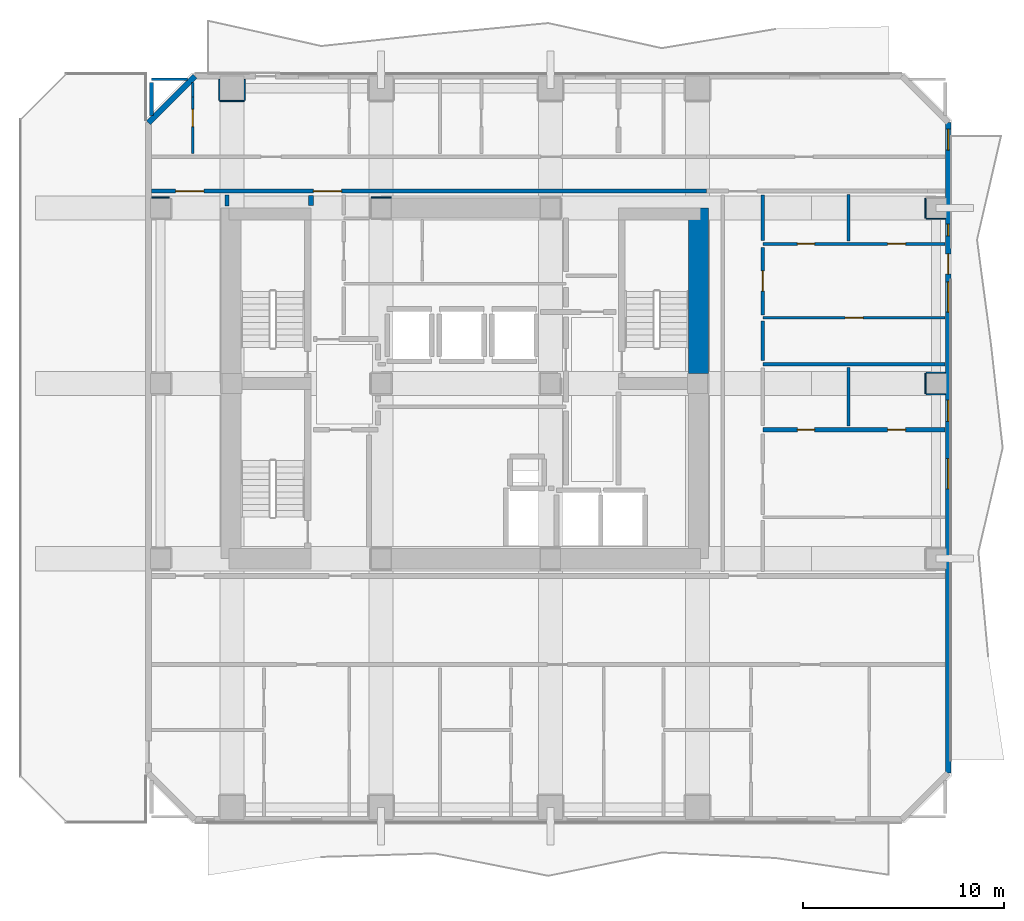
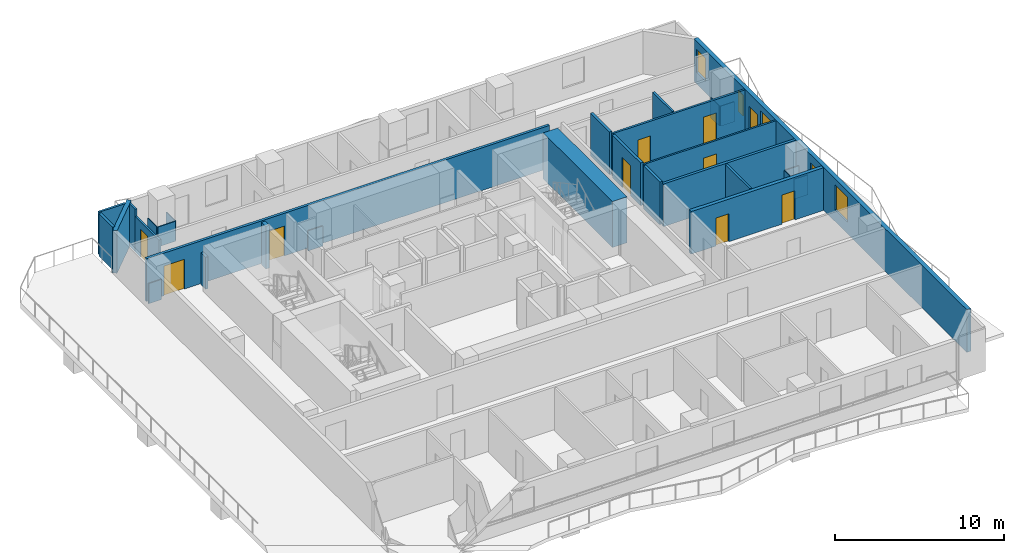
# One storey, part 5 of 10: 29 walls, 10 doors, 5 windows, 15 openings.
"""IFC4 building model written with IfcOpenShell, lengths in metres."""

import ifcopenshell
import ifcopenshell.guid

model = None  # the IFC model being written
_history = None  # IfcOwnerHistory: only IFC2X3 demands one
_inside = {}  # id of a spatial element -> (the spatial element, [elements in it])
_under = {}  # id of a project, library or spatial element -> (it, [spatial elements below it])
_declared = {}  # id of a project -> (the project, [libraries it declares])
_typed = {}  # id of a type object -> (the type object, [elements of that type])
_made_of = {}  # id of a material, layer set ... -> (it, [elements and type objects made of it])


def new_model(schema):
    """Start an empty IFC model of exactly this schema.

    Asked for "IFC4X3", IfcOpenShell would pick the latest addendum, in which some entities
    have other attributes; the version numbers below select the first issue.
    IFC2X3 requires an IfcOwnerHistory on every rooted entity: one is made here for all.
    """
    global model, _history
    if schema == "IFC4X3":
        model = ifcopenshell.file(schema_version=(4, 3, 0, 0))
    else:
        model = ifcopenshell.file(schema=schema)
    _inside.clear()
    _under.clear()
    _declared.clear()
    _typed.clear()
    _made_of.clear()
    _history = None
    if model.schema == "IFC2X3":
        org = make("IfcOrganization", Name="unknown")
        user = make(
            "IfcPersonAndOrganization",
            ThePerson=make("IfcPerson", FamilyName="unknown"),
            TheOrganization=org,
        )
        app = make(
            "IfcApplication",
            ApplicationDeveloper=org,
            Version="unknown",
            ApplicationFullName="unknown",
            ApplicationIdentifier="unknown",
        )
        _history = make(
            "IfcOwnerHistory",
            OwningUser=user,
            OwningApplication=app,
            ChangeAction="ADDED",
            CreationDate=0,
        )
    return model


def make(cls, **values):
    """One entity of the class cls with the attributes given. An attribute that is None is left unset."""
    return model.create_entity(
        cls, **{name: value for name, value in values.items() if value is not None}
    )


def rooted(cls, **values):
    """An entity with a GlobalId (a new one), such as an element, a storey or a relation."""
    return make(cls, GlobalId=ifcopenshell.guid.new(), OwnerHistory=_history, **values)


def si_unit(unit_type, name, prefix=None):
    """IfcSIUnit, for example si_unit("LENGTHUNIT", "METRE", prefix="MILLI")."""
    return make("IfcSIUnit", UnitType=unit_type, Prefix=prefix, Name=name)


def assignment(units):
    """IfcUnitAssignment: the units of a project."""
    return None if units is None else make("IfcUnitAssignment", Units=units)


def point(xyz):
    """IfcCartesianPoint."""
    return None if xyz is None else make("IfcCartesianPoint", Coordinates=xyz)


def direction(xyz):
    """IfcDirection."""
    return None if xyz is None else make("IfcDirection", DirectionRatios=xyz)


def frame(location, z_axis=None, x_axis=None):
    """IfcAxis2Placement3D, a coordinate frame: its origin and axes. An axis left out is left unset."""
    return make(
        "IfcAxis2Placement3D",
        Location=point(location),
        Axis=direction(z_axis),
        RefDirection=direction(x_axis),
    )


def frame_2d(location, x_axis=None):
    """IfcAxis2Placement2D, a coordinate frame in the plane: its origin and x axis."""
    return make(
        "IfcAxis2Placement2D", Location=point(location), RefDirection=direction(x_axis)
    )


def origin():
    """The frame at (0, 0, 0) with its axes left unset."""
    return frame((0.0, 0.0, 0.0))


def place(relative_to, where):
    """IfcLocalPlacement: puts the frame where relative to a parent placement (None: the world)."""
    return make(
        "IfcLocalPlacement", PlacementRelTo=relative_to, RelativePlacement=where
    )


def context(
    kind, dimensions, precision=None, world=None, true_north=None, identifier=None
):
    """IfcGeometricRepresentationContext, for example the 3D "Model" context."""
    return make(
        "IfcGeometricRepresentationContext",
        ContextIdentifier=identifier,
        ContextType=kind,
        CoordinateSpaceDimension=dimensions,
        Precision=precision,
        WorldCoordinateSystem=world,
        TrueNorth=true_north,
    )


def subcontext(parent, identifier, kind, view, scale=None):
    """IfcGeometricRepresentationSubContext, for example "Body" below "Model"."""
    return make(
        "IfcGeometricRepresentationSubContext",
        ContextIdentifier=identifier,
        ContextType=kind,
        ParentContext=parent,
        TargetScale=scale,
        TargetView=view,
    )


def project(units=None, contexts=None):
    """IfcProject with its units and contexts."""
    return rooted(
        "IfcProject",
        Name="project",
        RepresentationContexts=contexts,
        UnitsInContext=assignment(units),
    )


def spatial(cls, under=None, at=None, **own):
    """A site, building, storey or space (cls), placed at a placement, below another one or the project."""
    s = rooted(cls, ObjectPlacement=at, **own)
    if under is not None:
        _under.setdefault(under.id(), (under, []))[1].append(s)
    return s


def profile(cls, at=None, kind="AREA", **sizes):
    """A parametric profile (cls). Its sizes go by their IFC names, for example OverallWidth=200.0."""
    return make(cls, ProfileType=kind, Position=at, **sizes)


def rectangle(**sizes):
    """IfcRectangleProfileDef."""
    return profile("IfcRectangleProfileDef", **sizes)


def extrude(swept, where, along, depth):
    """IfcExtrudedAreaSolid: the profile swept, set in the frame where, extruded along a direction by depth."""
    return make(
        "IfcExtrudedAreaSolid",
        SweptArea=swept,
        Position=where,
        ExtrudedDirection=direction(along),
        Depth=depth,
    )


def shape(context_of_items, identifier, shape_type, items):
    """IfcShapeRepresentation: the items that make up one representation, for example the "Body"."""
    return make(
        "IfcShapeRepresentation",
        ContextOfItems=context_of_items,
        RepresentationIdentifier=identifier,
        RepresentationType=shape_type,
        Items=items,
    )


def material(Name=None, Category=None):
    """IfcMaterial."""
    return make("IfcMaterial", Name=Name, Category=Category)


def layer(
    of_material, thickness, ventilated=None, Name=None, Category=None, Priority=None
):
    """IfcMaterialLayer: one layer of a wall or slab, of a material (None: an air gap)."""
    return make(
        "IfcMaterialLayer",
        Material=of_material,
        LayerThickness=thickness,
        IsVentilated=ventilated,
        Name=Name,
        Category=Category,
        Priority=Priority,
    )


def layer_set(layers, Name=None):
    """IfcMaterialLayerSet."""
    return make("IfcMaterialLayerSet", MaterialLayers=layers, LayerSetName=Name)


def made_of(thing, what):
    """Note that an element or type object is made of a material, layer set ...; save() writes the relation."""
    if what is not None:
        _made_of.setdefault(what.id(), (what, []))[1].append(thing)
    return thing


def type_object(cls, material=None, **own):
    """A type object (cls), such as IfcWallType, which elements share."""
    return made_of(rooted(cls, **own), material)


def element(
    cls,
    number,
    at=None,
    inside=None,
    cuts=None,
    type_object=None,
    material=None,
    context=None,
    identifier="Body",
    shape_type=None,
    held_by="IfcProductDefinitionShape",
    body=None,
    shapes=None,
    **own,
):
    """One element of the class cls, such as IfcWall. Its Tag is "e" and its number.

    at: its placement. inside: the storey or other place that contains it. cuts: it is an
    opening in that element (IfcRelVoidsElement). A single representation is given by context,
    identifier, shape_type and body (its items); several are given by shapes. held_by: the class
    of the entity that holds the representations. save() writes the other relations.
    """
    e = rooted(cls, Tag="e%d" % number, ObjectPlacement=at, **own)
    if body is not None:
        shapes = [shape(context, identifier, shape_type, body)]
    if shapes is not None:
        e.Representation = make(held_by, Representations=shapes)
    if inside is not None:
        _inside.setdefault(inside.id(), (inside, []))[1].append(e)
    if cuts is not None:
        rooted(
            "IfcRelVoidsElement", RelatingBuildingElement=cuts, RelatedOpeningElement=e
        )
    if type_object is not None:
        _typed.setdefault(type_object.id(), (type_object, []))[1].append(e)
    return made_of(e, material)


def fill(opening, filler):
    """IfcRelFillsElement: the door or window that sits in an opening."""
    return rooted(
        "IfcRelFillsElement",
        RelatingOpeningElement=opening,
        RelatedBuildingElement=filler,
    )


def aggregate(whole, parts):
    """IfcRelAggregates: a whole, such as a stair, and the parts it consists of."""
    return rooted("IfcRelAggregates", RelatingObject=whole, RelatedObjects=parts)


def save(model, path):
    """Write the relations noted so far, then the file.

    IfcRelAggregates (storeys below a building ...), IfcRelContainedInSpatialStructure (elements
    in a storey), IfcRelDefinesByType, IfcRelAssociatesMaterial and IfcRelDeclares: one each for
    every whole, place, type object, material and project.
    """
    for whole, parts in _under.values():
        aggregate(whole, parts)
    for where, things in _inside.values():
        rooted(
            "IfcRelContainedInSpatialStructure",
            RelatedElements=things,
            RelatingStructure=where,
        )
    for kind, things in _typed.values():
        rooted("IfcRelDefinesByType", RelatedObjects=things, RelatingType=kind)
    for what, things in _made_of.values():
        rooted("IfcRelAssociatesMaterial", RelatedObjects=things, RelatingMaterial=what)
    for by, libraries in _declared.values():
        rooted("IfcRelDeclares", RelatingContext=by, RelatedDefinitions=libraries)
    model.write(path)


model = new_model("IFC4")

# Units and contexts
model_context = context("Model", 3, precision=1e-05, world=origin(), true_north=direction((0.0, 1.0)))
body_context = subcontext(model_context, "Body", "Model", "MODEL_VIEW")
ifc_project = project(units=[si_unit("LENGTHUNIT", "METRE"), si_unit("AREAUNIT", "SQUARE_METRE"), si_unit("VOLUMEUNIT", "CUBIC_METRE"), si_unit("PLANEANGLEUNIT", "RADIAN"), si_unit("MASSUNIT", "GRAM", prefix="KILO")], contexts=[model_context])

# Site, building, storey
site_placement = place(None, origin())
site = spatial("IfcSite", under=ifc_project, at=site_placement, CompositionType="ELEMENT")
building_placement = place(site_placement, origin())
building = spatial("IfcBuilding", under=site, at=building_placement, Name="Solanera Arch Residences", CompositionType="ELEMENT")
storey_placement = place(building_placement, frame((0.0, 0.0, 126.0)))
storey = spatial("IfcBuildingStorey", under=building, at=storey_placement, Name="L36", CompositionType="ELEMENT", Elevation=126.0)

# Walls
ifc_material_1 = material(Name="Fire-Rated Gypsum Stud Partition", Category="gypsum")
ifc_layer_1 = layer(ifc_material_1, 0.06005859375)
ifc_layer_set_1 = layer_set([ifc_layer_1], Name="Fire-Rated Gypsum Stud Partition")
wall_type_1 = type_object("IfcWallType", Name="Column Acoustic Furring Wall 60", PredefinedType="PARTITIONING", material=ifc_layer_set_1)
wall_1_placement = place(storey_placement, frame((20.300048828125, 39.931884765625, 0.0), z_axis=(0.0, 0.0, 1.0), x_axis=(1.0, 0.0, 0.0)))
element("IfcWall", 1, at=wall_1_placement, inside=storey, type_object=wall_type_1, Name="L36 Column Furring 3N", PredefinedType="PARTITIONING", context=body_context, shape_type="SweptSolid", body=[
    extrude(rectangle(XDim=1.0, YDim=0.06005859375, at=frame_2d((0.5, 0.0))), origin(), (0.0, 0.0, 1.0), 1.449951171875),
])
wall_2_placement = place(storey_placement, frame((12.800048828125, 44.718017578125, 0.0), z_axis=(0.0, 0.0, 1.0), x_axis=(1.0, 0.0, 0.0)))
element("IfcWall", 2, at=wall_2_placement, inside=storey, type_object=wall_type_1, Name="L36 Column Furring 10S", PredefinedType="PARTITIONING", context=body_context, shape_type="SweptSolid", body=[
    extrude(rectangle(XDim=1.199951171875, YDim=0.06005859375, at=frame_2d((0.60009765625, 0.0))), origin(), (0.0, 0.0, 1.0), 1.449951171875),
])
for number, where, z_axis, x_axis, name in (
    (3, (12.76806640625, 44.75, 0.0), (0.0, 0.0, 1.0), (0.0, 1.0, 0.0), "L36 Column Furring 10W"),
    (4, (14.031982421875, 44.75, 0.0), (0.0, 0.0, 1.0), (0.0, 1.0, 0.0), "L36 Column Furring 10E"),
):
    element("IfcWall", number, at=place(storey_placement, frame(where, z_axis=z_axis, x_axis=x_axis)), inside=storey, type_object=wall_type_1, Name=name, PredefinedType="PARTITIONING", context=body_context, shape_type="SweptSolid", body=[
        extrude(rectangle(XDim=1.0400390625, YDim=0.06005859375, at=frame_2d((0.52001953125, 0.0))), origin(), (0.0, 0.0, 1.0), 1.449951171875),
    ])
for number, where, z_axis, x_axis, name in (
    (5, (47.85009765625, 30.16796875, 0.0), (0.0, 0.0, 1.0), (1.0, 0.0, 0.0), "L36 Column Furring 20S"),
    (6, (47.85009765625, 31.23193359375, 0.0), (0.0, 0.0, 1.0), (1.0, 0.0, 0.0), "L36 Column Furring 20N"),
):
    element("IfcWall", number, at=place(storey_placement, frame(where, z_axis=z_axis, x_axis=x_axis)), inside=storey, type_object=wall_type_1, Name=name, PredefinedType="PARTITIONING", context=body_context, shape_type="SweptSolid", body=[
        extrude(rectangle(XDim=0.93994140625, YDim=0.06005859375, at=frame_2d((0.469970703125, 0.0))), origin(), (0.0, 0.0, 1.0), 1.449951171875),
    ])
wall_3_placement = place(storey_placement, frame((47.818115234375, 30.199951171875, 0.0), z_axis=(0.0, 0.0, 1.0), x_axis=(0.0, 1.0, 0.0)))
element("IfcWall", 7, at=wall_3_placement, inside=storey, type_object=wall_type_1, Name="L36 Column Furring 20W", PredefinedType="PARTITIONING", context=body_context, shape_type="SweptSolid", body=[
    extrude(rectangle(XDim=1.0, YDim=0.06005859375, at=frame_2d((0.5, 0.0))), origin(), (0.0, 0.0, 1.0), 1.449951171875),
])
wall_4_placement = place(storey_placement, frame((9.409912109375, 39.931884765625, 0.0), z_axis=(0.0, 0.0, 1.0), x_axis=(1.0, 0.0, 0.0)))
element("IfcWall", 8, at=wall_4_placement, inside=storey, type_object=wall_type_1, Name="L36 Column Furring 21N", PredefinedType="PARTITIONING", context=body_context, shape_type="SweptSolid", body=[
    extrude(rectangle(XDim=0.87109375, YDim=0.06005859375, at=frame_2d((0.435546875, 0.0))), origin(), (0.0, 0.0, 1.0), 1.449951171875),
])
wall_5_placement = place(storey_placement, frame((47.85009765625, 38.867919921875, 0.0), z_axis=(0.0, 0.0, 1.0), x_axis=(1.0, 0.0, 0.0)))
element("IfcWall", 9, at=wall_5_placement, inside=storey, type_object=wall_type_1, Name="L36 Column Furring 22S", PredefinedType="PARTITIONING", context=body_context, shape_type="SweptSolid", body=[
    extrude(rectangle(XDim=0.93994140625, YDim=0.06005859375, at=frame_2d((0.469970703125, 0.0))), origin(), (0.0, 0.0, 1.0), 1.449951171875),
])
wall_6_placement = place(storey_placement, frame((47.818115234375, 38.89990234375, 0.0), z_axis=(0.0, 0.0, 1.0), x_axis=(0.0, 1.0, 0.0)))
element("IfcWall", 10, at=wall_6_placement, inside=storey, type_object=wall_type_1, Name="L36 Column Furring 22W", PredefinedType="PARTITIONING", context=body_context, shape_type="SweptSolid", body=[
    extrude(rectangle(XDim=1.0, YDim=0.06005859375, at=frame_2d((0.5, 0.0))), origin(), (0.0, 0.0, 1.0), 1.449951171875),
])
ifc_material_2 = material(Name="Concrete C55/67 (f'c = 60 MPa)", Category="concrete")
ifc_layer_2 = layer(ifc_material_2, 1.0)
ifc_layer_set_2 = layer_set([ifc_layer_2], Name="Concrete C55/67 (f'c = 60 MPa)")
wall_type_2 = type_object("IfcWallType", Name="Core Shear Wall CW-1000", PredefinedType="SHEAR", material=ifc_layer_set_2)
wall_7_placement = place(storey_placement, frame((36.56005859375, 31.205078125, 0.0), z_axis=(0.0, 0.0, 1.0), x_axis=(0.0, 1.0, 0.0)))
element("IfcWall", 11, at=wall_7_placement, inside=storey, type_object=wall_type_2, Name="L36 East Core North Shear Wall", PredefinedType="SHEAR", context=body_context, shape_type="SweptSolid", body=[
    extrude(rectangle(XDim=8.19482421875, YDim=1.0, at=frame_2d((4.097412109375, 0.0))), origin(), (0.0, 0.0, 1.0), 3.320068359375),
])
ifc_material_3 = material(Name="Autoclaved Aerated Concrete Blockwork", Category="masonry")
ifc_layer_3 = layer(ifc_material_3, 0.179931640625)
ifc_layer_set_3 = layer_set([ifc_layer_3], Name="Autoclaved Aerated Concrete Blockwork")
wall_type_3 = type_object("IfcWallType", Name="Corridor Fire Partition 180", PredefinedType="PARTITIONING", material=ifc_layer_set_3)
wall_8_placement = place(storey_placement, frame((39.75, 31.64990234375, 0.0), z_axis=(0.0, 0.0, 1.0), x_axis=(1.0, 0.0, 0.0)))
element("IfcWall", 12, at=wall_8_placement, inside=storey, type_object=wall_type_3, Name="L36 Interior Partition H10", PredefinedType="PARTITIONING", context=body_context, shape_type="SweptSolid", body=[
    extrude(rectangle(XDim=9.04296875, YDim=0.179931640625, at=frame_2d((4.521484375, 0.0))), origin(), (0.0, 0.0, 1.0), 3.080078125),
])

# Wall, openings, doors
wall_9_placement = place(storey_placement, frame((9.406982421875, 40.25, 0.0), z_axis=(0.0, 0.0, 1.0), x_axis=(1.0, 0.0, 0.0)))
wall_9 = element("IfcWall", 13, at=wall_9_placement, inside=storey, type_object=wall_type_3, Name="L36 Interior Partition H12 1", PredefinedType="PARTITIONING", context=body_context, shape_type="SweptSolid", body=[
    extrude(rectangle(XDim=27.5361328125, YDim=0.179931640625, at=frame_2d((13.76806640625, 0.0))), origin(), (0.0, 0.0, 1.0), 3.080078125),
])
opening_1_placement = place(wall_9_placement, frame((8.028076171875, 0.0, 0.0)))
opening_1 = element("IfcOpeningElement", 14, at=opening_1_placement, cuts=wall_9, Name="Opening DF-03", PredefinedType="OPENING", context=body_context, shape_type="SweptSolid", body=[
    extrude(rectangle(XDim=1.39990234375, YDim=2.14990234375, at=frame_2d((0.699951171875, 1.074951171875))), frame((0.0, 0.10009765625, 0.0), z_axis=(0.0, -1.0, 0.0), x_axis=(1.0, 0.0, 0.0)), (0.0, 0.0, 1.0), 0.1999),
])
opening_2_placement = place(wall_9_placement, frame((1.19189453125, 0.0, 0.0)))
opening_2 = element("IfcOpeningElement", 15, at=opening_2_placement, cuts=wall_9, Name="Opening DF-03", PredefinedType="OPENING", context=body_context, shape_type="SweptSolid", body=[
    extrude(rectangle(XDim=1.39990234375, YDim=2.14990234375, at=frame_2d((0.699951171875, 1.074951171875))), frame((0.0, 0.10009765625, 0.0), z_axis=(0.0, -1.0, 0.0), x_axis=(1.0, 0.0, 0.0)), (0.0, 0.0, 1.0), 0.1999),
])
ifc_material_4 = material(Name="Fire-Rated Architectural Hardwood", Category="wood")
door_type_1 = type_object("IfcDoorType", Name="Corridor Smoke Door DF-03", OperationType="NOTDEFINED", PredefinedType="DOOR", material=ifc_material_4)
door_1_placement = place(opening_1_placement, origin())
door_1 = element("IfcDoor", 16, at=door_1_placement, inside=storey, type_object=door_type_1, Name="DR-L36-IN-009", OperationType="SINGLE_SWING_RIGHT", OverallHeight=2.14990234375, OverallWidth=1.39990234375, PredefinedType="DOOR", context=body_context, shape_type="SweptSolid", body=[
    extrude(rectangle(XDim=1.39990234375, YDim=2.14990234375, at=frame_2d((0.699951171875, 1.074951171875))), frame((0.0, 0.02490234375, 0.0), z_axis=(0.0, -1.0, 0.0), x_axis=(1.0, 0.0, 0.0)), (0.0, 0.0, 1.0), 0.050048828125),
])
fill(opening_1, door_1)
door_2_placement = place(opening_2_placement, origin())
door_2 = element("IfcDoor", 17, at=door_2_placement, inside=storey, type_object=door_type_1, Name="DR-L36-IN-012", OperationType="SINGLE_SWING_LEFT", OverallHeight=2.14990234375, OverallWidth=1.39990234375, PredefinedType="DOOR", context=body_context, shape_type="SweptSolid", body=[
    extrude(rectangle(XDim=1.39990234375, YDim=2.14990234375, at=frame_2d((0.699951171875, 1.074951171875))), frame((0.0, 0.02490234375, 0.0), z_axis=(0.0, -1.0, 0.0), x_axis=(1.0, 0.0, 0.0)), (0.0, 0.0, 1.0), 0.050048828125),
])
fill(opening_2, door_2)

# Walls
wall_10_placement = place(storey_placement, frame((9.39990234375, 44.0048828125, 0.0), z_axis=(0.0, 0.0, 1.0), x_axis=(0.0, 1.0, 0.0)))
element("IfcWall", 18, at=wall_10_placement, inside=storey, type_object=wall_type_3, Name="L36 Interior Partition V7 2", PredefinedType="PARTITIONING", context=body_context, shape_type="SweptSolid", body=[
    extrude(rectangle(XDim=1.627197265625, YDim=0.179931640625, at=frame_2d((0.8134765625, 0.0))), origin(), (0.0, 0.0, 1.0), 3.080078125),
])
wall_11_placement = place(storey_placement, frame((13.14990234375, 39.5, 0.0), z_axis=(0.0, 0.0, 1.0), x_axis=(0.0, 1.0, 0.0)))
element("IfcWall", 19, at=wall_11_placement, inside=storey, type_object=wall_type_3, Name="L36 Interior Partition V8", PredefinedType="PARTITIONING", context=body_context, shape_type="SweptSolid", body=[
    extrude(rectangle(XDim=0.56201171875, YDim=0.179931640625, at=frame_2d((0.281005859375, 0.0))), origin(), (0.0, 0.0, 1.0), 2.31494140625),
])
wall_12_placement = place(storey_placement, frame((39.75, 31.837890625, 0.0), z_axis=(0.0, 0.0, 1.0), x_axis=(0.0, 1.0, 0.0)))
element("IfcWall", 20, at=wall_12_placement, inside=storey, type_object=wall_type_3, Name="L36 Interior Partition V12 4", PredefinedType="PARTITIONING", context=body_context, shape_type="SweptSolid", body=[
    extrude(rectangle(XDim=1.9541015625, YDim=0.179931640625, at=frame_2d((0.97705078125, 0.0))), origin(), (0.0, 0.0, 1.0), 3.080078125),
])

# Wall, opening, door
wall_13_placement = place(storey_placement, frame((39.75, 34.10791015625, 0.0), z_axis=(0.0, 0.0, 1.0), x_axis=(0.0, 1.0, 0.0)))
wall_13 = element("IfcWall", 21, at=wall_13_placement, inside=storey, type_object=wall_type_3, Name="L36 Interior Partition V12 5", PredefinedType="PARTITIONING", context=body_context, shape_type="SweptSolid", body=[
    extrude(rectangle(XDim=3.34912109375, YDim=0.179931640625, at=frame_2d((1.674560546875, 0.0))), origin(), (0.0, 0.0, 1.0), 3.080078125),
])
opening_3_placement = place(wall_13_placement, frame((1.178955078125, 0.0, 0.0)))
opening_3 = element("IfcOpeningElement", 22, at=opening_3_placement, cuts=wall_13, Name="Opening DI-01", PredefinedType="OPENING", context=body_context, shape_type="SweptSolid", body=[
    extrude(rectangle(XDim=1.0, YDim=2.14990234375, at=frame_2d((0.5, 1.074951171875))), frame((0.0, 0.10009765625, 0.0), z_axis=(0.0, -1.0, 0.0), x_axis=(1.0, 0.0, 0.0)), (0.0, 0.0, 1.0), 0.1999),
])
ifc_material_5 = material(Name="Fire-Rated Architectural Hardwood", Category="wood")
door_type_2 = type_object("IfcDoorType", Name="Unit Entrance Fire Door DI-01", OperationType="NOTDEFINED", PredefinedType="DOOR", material=ifc_material_5)
door_3_placement = place(opening_3_placement, origin())
door_3 = element("IfcDoor", 23, at=door_3_placement, inside=storey, type_object=door_type_2, Name="DR-L36-IN-039", OperationType="SINGLE_SWING_RIGHT", OverallHeight=2.14990234375, OverallWidth=1.0, PredefinedType="DOOR", context=body_context, shape_type="SweptSolid", body=[
    extrude(rectangle(XDim=1.0, YDim=2.14990234375, at=frame_2d((0.5, 1.074951171875))), frame((0.0, 0.02490234375, 0.0), z_axis=(0.0, -1.0, 0.0), x_axis=(1.0, 0.0, 0.0)), (0.0, 0.0, 1.0), 0.050048828125),
])
fill(opening_3, door_3)

# Walls
wall_14_placement = place(storey_placement, frame((39.75, 37.79296875, 0.0), z_axis=(0.0, 0.0, 1.0), x_axis=(0.0, 1.0, 0.0)))
element("IfcWall", 24, at=wall_14_placement, inside=storey, type_object=wall_type_3, Name="L36 Interior Partition V12 6", PredefinedType="PARTITIONING", context=body_context, shape_type="SweptSolid", body=[
    extrude(rectangle(XDim=2.26904296875, YDim=0.179931640625, at=frame_2d((1.134521484375, 0.0))), origin(), (0.0, 0.0, 1.0), 3.080078125),
])
ifc_material_6 = material(Name="Precast Concrete C35/45", Category="concrete")
ifc_layer_4 = layer(ifc_material_6, 0.280029296875)
ifc_layer_set_4 = layer_set([ifc_layer_4], Name="Precast Concrete C35/45")
wall_type_4 = type_object("IfcWallType", Name="Exterior Wall Precast Masonry-Frame 280", PredefinedType="STANDARD", material=ifc_layer_set_4)
wall_15_placement = place(storey_placement, frame((9.2548828125, 43.64501953125, 0.0), z_axis=(0.0, 0.0, 1.0), x_axis=(0.707106781187, 0.707106781187, 0.0)))
element("IfcWall", 25, at=wall_15_placement, inside=storey, type_object=wall_type_4, Name="L36 Tower Exterior Precast Masonry-Frame Wall CH1", PredefinedType="STANDARD", context=body_context, shape_type="SweptSolid", body=[
    extrude(rectangle(XDim=3.252685546875, YDim=0.280029296875, at=frame_2d((1.62646484375, 0.0))), origin(), (0.0, 0.0, 1.0), 3.080078125),
])

# Wall, openings, door, windows
wall_16_placement = place(storey_placement, frame((48.945068359375, 43.64501953125, 0.0), z_axis=(0.0, 0.0, 1.0), x_axis=(0.0, -1.0, 0.0)))
wall_16 = element("IfcWall", 26, at=wall_16_placement, inside=storey, type_object=wall_type_4, Name="L36 Tower Exterior Precast Masonry-Frame Wall E", PredefinedType="STANDARD", context=body_context, shape_type="SweptSolid", body=[
    extrude(rectangle(XDim=32.2900390625, YDim=0.280029296875, at=frame_2d((16.14501953125, 0.0))), origin(), (0.0, 0.0, 1.0), 3.080078125),
])
opening_4_placement = place(wall_16_placement, frame((6.52001953125, 0.0, 0.0)))
opening_4 = element("IfcOpeningElement", 27, at=opening_4_placement, cuts=wall_16, Name="Opening DB-01", PredefinedType="OPENING", context=body_context, shape_type="SweptSolid", body=[
    extrude(rectangle(XDim=1.0, YDim=2.14990234375, at=frame_2d((0.5, 1.074951171875))), frame((0.0, 0.14990234375, 0.0), z_axis=(0.0, -1.0, 0.0), x_axis=(1.0, 0.0, 0.0)), (0.0, 0.0, 1.0), 0.3),
])
opening_5_placement = place(wall_16_placement, frame((0.318115234375, 0.0, 0.85009765625)))
opening_5 = element("IfcOpeningElement", 28, at=opening_5_placement, cuts=wall_16, Name="Opening W-07", PredefinedType="OPENING", context=body_context, shape_type="SweptSolid", body=[
    extrude(rectangle(XDim=1.050048828125, YDim=1.64990234375, at=frame_2d((0.52490234375, 0.824951171875))), frame((0.0, 0.14990234375, 0.0), z_axis=(0.0, -1.0, 0.0), x_axis=(1.0, 0.0, 0.0)), (0.0, 0.0, 1.0), 0.3),
])
opening_6_placement = place(wall_16_placement, frame((16.674072265625, 0.0, 0.85009765625)))
opening_6 = element("IfcOpeningElement", 29, at=opening_6_placement, cuts=wall_16, Name="Opening W-02", PredefinedType="OPENING", context=body_context, shape_type="SweptSolid", body=[
    extrude(rectangle(XDim=1.5, YDim=1.800048828125, at=frame_2d((0.75, 0.89990234375))), frame((0.0, 0.14990234375, 0.0), z_axis=(0.0, -1.0, 0.0), x_axis=(1.0, 0.0, 0.0)), (0.0, 0.0, 1.0), 0.3),
])
opening_7_placement = place(wall_16_placement, frame((13.77294921875, 0.0, 0.85009765625)))
opening_7 = element("IfcOpeningElement", 30, at=opening_7_placement, cuts=wall_16, Name="Opening W-07", PredefinedType="OPENING", context=body_context, shape_type="SweptSolid", body=[
    extrude(rectangle(XDim=1.050048828125, YDim=1.64990234375, at=frame_2d((0.52490234375, 0.824951171875))), frame((0.0, 0.14990234375, 0.0), z_axis=(0.0, -1.0, 0.0), x_axis=(1.0, 0.0, 0.0)), (0.0, 0.0, 1.0), 0.3),
])
opening_8_placement = place(wall_16_placement, frame((7.906982421875, 0.0, 0.85009765625)))
opening_8 = element("IfcOpeningElement", 31, at=opening_8_placement, cuts=wall_16, Name="Opening W-02", PredefinedType="OPENING", context=body_context, shape_type="SweptSolid", body=[
    extrude(rectangle(XDim=1.5, YDim=1.800048828125, at=frame_2d((0.75, 0.89990234375))), frame((0.0, 0.14990234375, 0.0), z_axis=(0.0, -1.0, 0.0), x_axis=(1.0, 0.0, 0.0)), (0.0, 0.0, 1.0), 0.3),
])
opening_9_placement = place(wall_16_placement, frame((5.04296875, 0.0, 0.85009765625)))
opening_9 = element("IfcOpeningElement", 32, at=opening_9_placement, cuts=wall_16, Name="Opening W-14", PredefinedType="OPENING", context=body_context, shape_type="SweptSolid", body=[
    extrude(rectangle(XDim=0.580078125, YDim=1.5, at=frame_2d((0.2900390625, 0.75))), frame((0.0, 0.14990234375, 0.0), z_axis=(0.0, -1.0, 0.0), x_axis=(1.0, 0.0, 0.0)), (0.0, 0.0, 1.0), 0.3),
])
ifc_material_7 = material(Name="Anodised Aluminium Alloy 6063-T6", Category="aluminium")
door_type_3 = type_object("IfcDoorType", Name="Glazed Balcony Swing Door DB-01", OperationType="NOTDEFINED", PredefinedType="DOOR", material=ifc_material_7)
door_4_placement = place(opening_4_placement, origin())
door_4 = element("IfcDoor", 33, at=door_4_placement, inside=storey, type_object=door_type_3, Name="DR-L36-OUT-04", OperationType="SINGLE_SWING_LEFT", OverallHeight=2.14990234375, OverallWidth=1.0, PredefinedType="DOOR", context=body_context, shape_type="SweptSolid", body=[
    extrude(rectangle(XDim=1.0, YDim=2.14990234375, at=frame_2d((0.5, 1.074951171875))), frame((0.0, 0.02490234375, 0.0), z_axis=(0.0, -1.0, 0.0), x_axis=(1.0, 0.0, 0.0)), (0.0, 0.0, 1.0), 0.050048828125),
])
fill(opening_4, door_4)
ifc_material_8 = material(Name="Double Glazed Low-E Laminated Glass", Category="glass")
window_type_1 = type_object("IfcWindowType", Name="Punched Window W-02", PartitioningType="DOUBLE_PANEL_VERTICAL", PredefinedType="WINDOW", material=ifc_material_8)
window_1_placement = place(opening_6_placement, origin())
window_1 = element("IfcWindow", 34, at=window_1_placement, inside=storey, type_object=window_type_1, Name="L36 3606-LIV Punched Window", OverallHeight=1.800048828125, OverallWidth=1.5, PartitioningType="SINGLE_PANEL", PredefinedType="WINDOW", context=body_context, shape_type="SweptSolid", body=[
    extrude(rectangle(XDim=1.5, YDim=1.800048828125, at=frame_2d((0.75, 0.89990234375))), frame((0.0, 0.030029296875, 0.0), z_axis=(0.0, -1.0, 0.0), x_axis=(1.0, 0.0, 0.0)), (0.0, 0.0, 1.0), 0.06005859375),
])
fill(opening_6, window_1)
window_2_placement = place(opening_8_placement, origin())
window_2 = element("IfcWindow", 35, at=window_2_placement, inside=storey, type_object=window_type_1, Name="L36 3607-LIV Punched Window", OverallHeight=1.800048828125, OverallWidth=1.5, PartitioningType="SINGLE_PANEL", PredefinedType="WINDOW", context=body_context, shape_type="SweptSolid", body=[
    extrude(rectangle(XDim=1.5, YDim=1.800048828125, at=frame_2d((0.75, 0.89990234375))), frame((0.0, 0.030029296875, 0.0), z_axis=(0.0, -1.0, 0.0), x_axis=(1.0, 0.0, 0.0)), (0.0, 0.0, 1.0), 0.06005859375),
])
fill(opening_8, window_2)
ifc_material_9 = material(Name="Double Glazed Low-E Laminated Glass", Category="glass")
window_type_2 = type_object("IfcWindowType", Name="Punched Window W-07", PartitioningType="SINGLE_PANEL", PredefinedType="WINDOW", material=ifc_material_9)
window_3_placement = place(opening_5_placement, origin())
window_3 = element("IfcWindow", 36, at=window_3_placement, inside=storey, type_object=window_type_2, Name="L36 AMN-OFF Punched Window", OverallHeight=1.64990234375, OverallWidth=1.050048828125, PartitioningType="SINGLE_PANEL", PredefinedType="WINDOW", context=body_context, shape_type="SweptSolid", body=[
    extrude(rectangle(XDim=1.050048828125, YDim=1.64990234375, at=frame_2d((0.52490234375, 0.824951171875))), frame((0.0, 0.030029296875, 0.0), z_axis=(0.0, -1.0, 0.0), x_axis=(1.0, 0.0, 0.0)), (0.0, 0.0, 1.0), 0.06005859375),
])
fill(opening_5, window_3)
window_4_placement = place(opening_7_placement, origin())
window_4 = element("IfcWindow", 37, at=window_4_placement, inside=storey, type_object=window_type_2, Name="L36 3606-BR1 Punched Window", OverallHeight=1.64990234375, OverallWidth=1.050048828125, PartitioningType="SINGLE_PANEL", PredefinedType="WINDOW", context=body_context, shape_type="SweptSolid", body=[
    extrude(rectangle(XDim=1.050048828125, YDim=1.64990234375, at=frame_2d((0.52490234375, 0.824951171875))), frame((0.0, 0.030029296875, 0.0), z_axis=(0.0, -1.0, 0.0), x_axis=(1.0, 0.0, 0.0)), (0.0, 0.0, 1.0), 0.06005859375),
])
fill(opening_7, window_4)
ifc_material_10 = material(Name="Double Glazed Low-E Laminated Glass", Category="glass")
window_type_3 = type_object("IfcWindowType", Name="Punched Window W-14", PartitioningType="SINGLE_PANEL", PredefinedType="WINDOW", material=ifc_material_10)
window_5_placement = place(opening_9_placement, origin())
window_5 = element("IfcWindow", 38, at=window_5_placement, inside=storey, type_object=window_type_3, Name="L36 3607-BR1 Punched Window", OverallHeight=1.5, OverallWidth=0.580078125, PartitioningType="SINGLE_PANEL", PredefinedType="WINDOW", context=body_context, shape_type="SweptSolid", body=[
    extrude(rectangle(XDim=0.580078125, YDim=1.5, at=frame_2d((0.2900390625, 0.75))), frame((0.0, 0.030029296875, 0.0), z_axis=(0.0, -1.0, 0.0), x_axis=(1.0, 0.0, 0.0)), (0.0, 0.0, 1.0), 0.06005859375),
])
fill(opening_9, window_5)

# Wall, openings, doors
ifc_material_11 = material(Name="Autoclaved Aerated Concrete Blockwork", Category="masonry")
ifc_layer_5 = layer(ifc_material_11, 0.239990234375)
ifc_layer_set_5 = layer_set([ifc_layer_5], Name="Autoclaved Aerated Concrete Blockwork")
wall_type_5 = type_object("IfcWallType", Name="Shaft Wall Fire-Rated 240", PredefinedType="PARTITIONING", material=ifc_layer_set_5)
wall_17_placement = place(storey_placement, frame((39.75, 28.39990234375, 0.0), z_axis=(0.0, 0.0, 1.0), x_axis=(1.0, 0.0, 0.0)))
wall_17 = element("IfcWall", 39, at=wall_17_placement, inside=storey, type_object=wall_type_5, Name="L36 Interior Partition H4", PredefinedType="PARTITIONING", context=body_context, shape_type="SweptSolid", body=[
    extrude(rectangle(XDim=9.04296875, YDim=0.239990234375, at=frame_2d((4.521484375, 0.0))), origin(), (0.0, 0.0, 1.0), 3.080078125),
])
opening_10_placement = place(wall_17_placement, frame((1.7080078125, 0.0, 0.0)))
opening_10 = element("IfcOpeningElement", 40, at=opening_10_placement, cuts=wall_17, Name="Opening DI-05", PredefinedType="OPENING", context=body_context, shape_type="SweptSolid", body=[
    extrude(rectangle(XDim=0.860107421875, YDim=2.02001953125, at=frame_2d((0.43017578125, 1.010009765625))), frame((0.0, 0.1298828125, 0.0), z_axis=(0.0, -1.0, 0.0), x_axis=(1.0, 0.0, 0.0)), (0.0, 0.0, 1.0), 0.26),
])
opening_11_placement = place(wall_17_placement, frame((6.18701171875, 0.0, 0.0)))
opening_11 = element("IfcOpeningElement", 41, at=opening_11_placement, cuts=wall_17, Name="Opening DI-03", PredefinedType="OPENING", context=body_context, shape_type="SweptSolid", body=[
    extrude(rectangle(XDim=0.89990234375, YDim=2.10009765625, at=frame_2d((0.449951171875, 1.050048828125))), frame((0.0, 0.1298828125, 0.0), z_axis=(0.0, -1.0, 0.0), x_axis=(1.0, 0.0, 0.0)), (0.0, 0.0, 1.0), 0.26),
])
ifc_material_12 = material(Name="Fire-Rated Architectural Hardwood", Category="wood")
door_type_4 = type_object("IfcDoorType", Name="Bathroom Swing Door DI-05", OperationType="NOTDEFINED", PredefinedType="DOOR", material=ifc_material_12)
door_5_placement = place(opening_10_placement, origin())
door_5 = element("IfcDoor", 42, at=door_5_placement, inside=storey, type_object=door_type_4, Name="DR-L36-IN-037", OperationType="SINGLE_SWING_RIGHT", OverallHeight=2.02001953125, OverallWidth=0.860107421875, PredefinedType="DOOR", context=body_context, shape_type="SweptSolid", body=[
    extrude(rectangle(XDim=0.860107421875, YDim=2.02001953125, at=frame_2d((0.43017578125, 1.010009765625))), frame((0.0, 0.02490234375, 0.0), z_axis=(0.0, -1.0, 0.0), x_axis=(1.0, 0.0, 0.0)), (0.0, 0.0, 1.0), 0.050048828125),
])
fill(opening_10, door_5)
ifc_material_13 = material(Name="Fire-Rated Architectural Hardwood", Category="wood")
door_type_5 = type_object("IfcDoorType", Name="Bedroom Swing Door DI-03", OperationType="NOTDEFINED", PredefinedType="DOOR", material=ifc_material_13)
door_6_placement = place(opening_11_placement, origin())
door_6 = element("IfcDoor", 43, at=door_6_placement, inside=storey, type_object=door_type_5, Name="DR-L36-IN-038", OperationType="SINGLE_SWING_LEFT", OverallHeight=2.10009765625, OverallWidth=0.89990234375, PredefinedType="DOOR", context=body_context, shape_type="SweptSolid", body=[
    extrude(rectangle(XDim=0.89990234375, YDim=2.10009765625, at=frame_2d((0.449951171875, 1.050048828125))), frame((0.0, 0.02490234375, 0.0), z_axis=(0.0, -1.0, 0.0), x_axis=(1.0, 0.0, 0.0)), (0.0, 0.0, 1.0), 0.050048828125),
])
fill(opening_11, door_6)

# Wall
wall_18_placement = place(storey_placement, frame((17.320068359375, 39.530029296875, 0.0), z_axis=(0.0, 0.0, 1.0), x_axis=(0.0, 1.0, 0.0)))
element("IfcWall", 44, at=wall_18_placement, inside=storey, type_object=wall_type_5, Name="L36 Interior Partition V1", PredefinedType="PARTITIONING", context=body_context, shape_type="SweptSolid", body=[
    extrude(rectangle(XDim=0.501953125, YDim=0.239990234375, at=frame_2d((0.2509765625, 0.0))), origin(), (0.0, 0.0, 1.0), 3.080078125),
])

# Wall, opening, door
ifc_material_14 = material(Name="Fire-Rated Gypsum Stud Partition", Category="gypsum")
ifc_layer_6 = layer(ifc_material_14, 0.1201171875)
ifc_layer_set_6 = layer_set([ifc_layer_6], Name="Fire-Rated Gypsum Stud Partition")
wall_type_6 = type_object("IfcWallType", Name="Unit Drywall Partition 120", PredefinedType="PARTITIONING", material=ifc_layer_set_6)
wall_19_placement = place(storey_placement, frame((39.75, 33.949951171875, 0.0), z_axis=(0.0, 0.0, 1.0), x_axis=(1.0, 0.0, 0.0)))
wall_19 = element("IfcWall", 45, at=wall_19_placement, inside=storey, type_object=wall_type_6, Name="L36 Interior Partition H21", PredefinedType="PARTITIONING", context=body_context, shape_type="SweptSolid", body=[
    extrude(rectangle(XDim=9.04296875, YDim=0.1201171875, at=frame_2d((4.521484375, 0.0))), origin(), (0.0, 0.0, 1.0), 3.080078125),
])
opening_12_placement = place(wall_19_placement, frame((4.074951171875, 0.0, 0.0)))
opening_12 = element("IfcOpeningElement", 46, at=opening_12_placement, cuts=wall_19, Name="Opening DI-02", PredefinedType="OPENING", context=body_context, shape_type="SweptSolid", body=[
    extrude(rectangle(XDim=0.89990234375, YDim=2.10009765625, at=frame_2d((0.449951171875, 1.050048828125))), frame((0.0, 0.070068359375, 0.0), z_axis=(0.0, -1.0, 0.0), x_axis=(1.0, 0.0, 0.0)), (0.0, 0.0, 1.0), 0.1401),
])
ifc_material_15 = material(Name="Fire-Rated Architectural Hardwood", Category="wood")
door_type_6 = type_object("IfcDoorType", Name="Suite Room Swing Door DI-02", OperationType="NOTDEFINED", PredefinedType="DOOR", material=ifc_material_15)
door_7_placement = place(opening_12_placement, origin())
door_7 = element("IfcDoor", 47, at=door_7_placement, inside=storey, type_object=door_type_6, Name="DR-L36-IN-040", OperationType="SINGLE_SWING_LEFT", OverallHeight=2.10009765625, OverallWidth=0.89990234375, PredefinedType="DOOR", context=body_context, shape_type="SweptSolid", body=[
    extrude(rectangle(XDim=0.89990234375, YDim=2.10009765625, at=frame_2d((0.449951171875, 1.050048828125))), frame((0.0, 0.02490234375, 0.0), z_axis=(0.0, -1.0, 0.0), x_axis=(1.0, 0.0, 0.0)), (0.0, 0.0, 1.0), 0.050048828125),
])
fill(opening_12, door_7)

# Wall, openings, doors
ifc_material_16 = material(Name="Autoclaved Aerated Concrete Blockwork", Category="masonry")
ifc_layer_7 = layer(ifc_material_16, 0.139892578125)
ifc_layer_set_7 = layer_set([ifc_layer_7], Name="Autoclaved Aerated Concrete Blockwork")
wall_type_7 = type_object("IfcWallType", Name="Wet-Room Partition 140", PredefinedType="PARTITIONING", material=ifc_layer_set_7)
wall_20_placement = place(storey_placement, frame((39.75, 37.625, 0.0), z_axis=(0.0, 0.0, 1.0), x_axis=(1.0, 0.0, 0.0)))
wall_20 = element("IfcWall", 48, at=wall_20_placement, inside=storey, type_object=wall_type_7, Name="L36 Interior Partition H17", PredefinedType="PARTITIONING", context=body_context, shape_type="SweptSolid", body=[
    extrude(rectangle(XDim=9.04296875, YDim=0.139892578125, at=frame_2d((4.521484375, 0.0))), origin(), (0.0, 0.0, 1.0), 3.080078125),
])
opening_13_placement = place(wall_20_placement, frame((1.7080078125, 0.0, 0.0)))
opening_13 = element("IfcOpeningElement", 49, at=opening_13_placement, cuts=wall_20, Name="Opening DI-05", PredefinedType="OPENING", context=body_context, shape_type="SweptSolid", body=[
    extrude(rectangle(XDim=0.860107421875, YDim=2.02001953125, at=frame_2d((0.43017578125, 1.010009765625))), frame((0.0, 0.079833984375, 0.0), z_axis=(0.0, -1.0, 0.0), x_axis=(1.0, 0.0, 0.0)), (0.0, 0.0, 1.0), 0.1599),
])
opening_14_placement = place(wall_20_placement, frame((6.18701171875, 0.0, 0.0)))
opening_14 = element("IfcOpeningElement", 50, at=opening_14_placement, cuts=wall_20, Name="Opening DI-03", PredefinedType="OPENING", context=body_context, shape_type="SweptSolid", body=[
    extrude(rectangle(XDim=0.89990234375, YDim=2.10009765625, at=frame_2d((0.449951171875, 1.050048828125))), frame((0.0, 0.079833984375, 0.0), z_axis=(0.0, -1.0, 0.0), x_axis=(1.0, 0.0, 0.0)), (0.0, 0.0, 1.0), 0.1599),
])
door_8_placement = place(opening_13_placement, origin())
door_8 = element("IfcDoor", 51, at=door_8_placement, inside=storey, type_object=door_type_4, Name="DR-L36-IN-041", OperationType="SINGLE_SWING_RIGHT", OverallHeight=2.02001953125, OverallWidth=0.860107421875, PredefinedType="DOOR", context=body_context, shape_type="SweptSolid", body=[
    extrude(rectangle(XDim=0.860107421875, YDim=2.02001953125, at=frame_2d((0.43017578125, 1.010009765625))), frame((0.0, 0.02490234375, 0.0), z_axis=(0.0, -1.0, 0.0), x_axis=(1.0, 0.0, 0.0)), (0.0, 0.0, 1.0), 0.050048828125),
])
fill(opening_13, door_8)
door_9_placement = place(opening_14_placement, origin())
door_9 = element("IfcDoor", 52, at=door_9_placement, inside=storey, type_object=door_type_5, Name="DR-L36-IN-042", OperationType="SINGLE_SWING_LEFT", OverallHeight=2.10009765625, OverallWidth=0.89990234375, PredefinedType="DOOR", context=body_context, shape_type="SweptSolid", body=[
    extrude(rectangle(XDim=0.89990234375, YDim=2.10009765625, at=frame_2d((0.449951171875, 1.050048828125))), frame((0.0, 0.02490234375, 0.0), z_axis=(0.0, -1.0, 0.0), x_axis=(1.0, 0.0, 0.0)), (0.0, 0.0, 1.0), 0.050048828125),
])
fill(opening_14, door_9)

# Wall
wall_21_placement = place(storey_placement, frame((9.39990234375, 45.800048828125, 0.0), z_axis=(0.0, 0.0, 1.0), x_axis=(1.0, 0.0, 0.0)))
element("IfcWall", 53, at=wall_21_placement, inside=storey, type_object=wall_type_7, Name="L36 Interior Partition H18 1", PredefinedType="PARTITIONING", context=body_context, shape_type="SweptSolid", body=[
    extrude(rectangle(XDim=1.795166015625, YDim=0.139892578125, at=frame_2d((0.8974609375, 0.0))), origin(), (0.0, 0.0, 1.0), 3.080078125),
])

# Wall, opening, door
wall_22_placement = place(storey_placement, frame((11.449951171875, 42.117919921875, 0.0), z_axis=(0.0, 0.0, 1.0), x_axis=(0.0, 1.0, 0.0)))
wall_22 = element("IfcWall", 54, at=wall_22_placement, inside=storey, type_object=wall_type_7, Name="L36 Interior Partition V14 1", PredefinedType="PARTITIONING", context=body_context, shape_type="SweptSolid", body=[
    extrude(rectangle(XDim=2.80810546875, YDim=0.139892578125, at=frame_2d((1.404052734375, 0.0))), origin(), (0.0, 0.0, 1.0), 2.56494140625),
])
opening_15_placement = place(wall_22_placement, frame((1.326904296875, 0.0, 0.0)))
opening_15 = element("IfcOpeningElement", 55, at=opening_15_placement, cuts=wall_22, Name="Opening DI-05", PredefinedType="OPENING", context=body_context, shape_type="SweptSolid", body=[
    extrude(rectangle(XDim=0.860107421875, YDim=2.02001953125, at=frame_2d((0.43017578125, 1.010009765625))), frame((0.0, 0.079833984375, 0.0), z_axis=(0.0, -1.0, 0.0), x_axis=(1.0, 0.0, 0.0)), (0.0, 0.0, 1.0), 0.1599),
])
door_10_placement = place(opening_15_placement, origin())
door_10 = element("IfcDoor", 56, at=door_10_placement, inside=storey, type_object=door_type_4, Name="DR-L36-IN-029", OperationType="SINGLE_SWING_RIGHT", OverallHeight=2.02001953125, OverallWidth=0.860107421875, PredefinedType="DOOR", context=body_context, shape_type="SweptSolid", body=[
    extrude(rectangle(XDim=0.860107421875, YDim=2.02001953125, at=frame_2d((0.43017578125, 1.010009765625))), frame((0.0, 0.02490234375, 0.0), z_axis=(0.0, -1.0, 0.0), x_axis=(1.0, 0.0, 0.0)), (0.0, 0.0, 1.0), 0.050048828125),
])
fill(opening_15, door_10)

# Walls
wall_23_placement = place(storey_placement, frame((11.449951171875, 44.926025390625, 0.0), z_axis=(0.0, 0.0, 1.0), x_axis=(0.0, 1.0, 0.0)))
element("IfcWall", 57, at=wall_23_placement, inside=storey, type_object=wall_type_7, Name="L36 Interior Partition V14 2", PredefinedType="PARTITIONING", context=body_context, shape_type="SweptSolid", body=[
    extrude(rectangle(XDim=0.698974609375, YDim=0.139892578125, at=frame_2d((0.349609375, 0.0))), origin(), (0.0, 0.0, 1.0), 3.080078125),
])
wall_24_placement = place(storey_placement, frame((44.0, 28.597900390625, 0.0), z_axis=(0.0, 0.0, 1.0), x_axis=(0.0, 1.0, 0.0)))
element("IfcWall", 58, at=wall_24_placement, inside=storey, type_object=wall_type_7, Name="L36 Interior Partition V23", PredefinedType="PARTITIONING", context=body_context, shape_type="SweptSolid", body=[
    extrude(rectangle(XDim=2.884033203125, YDim=0.139892578125, at=frame_2d((1.44189453125, 0.0))), origin(), (0.0, 0.0, 1.0), 3.080078125),
])
wall_25_placement = place(storey_placement, frame((44.0, 37.77294921875, 0.0), z_axis=(0.0, 0.0, 1.0), x_axis=(0.0, 1.0, 0.0)))
element("IfcWall", 59, at=wall_25_placement, inside=storey, type_object=wall_type_7, Name="L36 Interior Partition V24", PredefinedType="PARTITIONING", context=body_context, shape_type="SweptSolid", body=[
    extrude(rectangle(XDim=2.30908203125, YDim=0.139892578125, at=frame_2d((1.154541015625, 0.0))), origin(), (0.0, 0.0, 1.0), 3.080078125),
])

save(model, "model.ifc")
